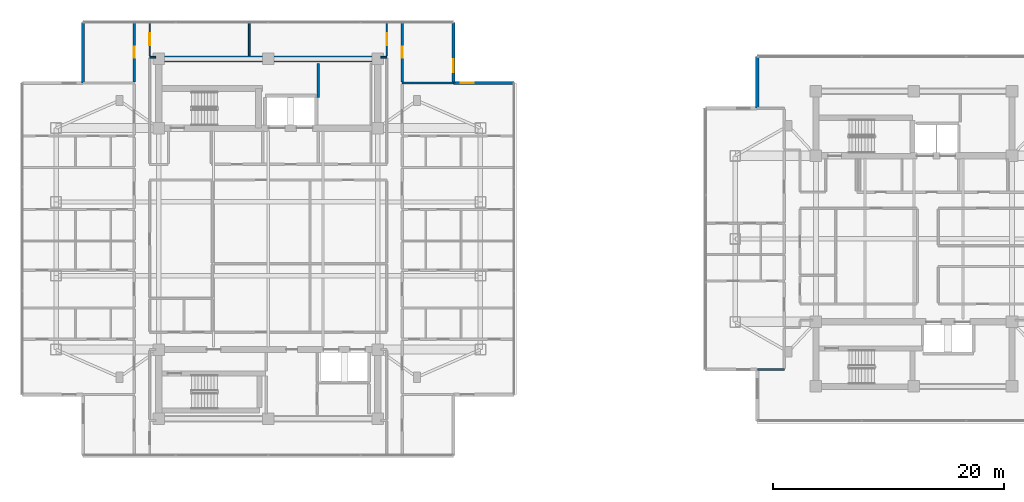
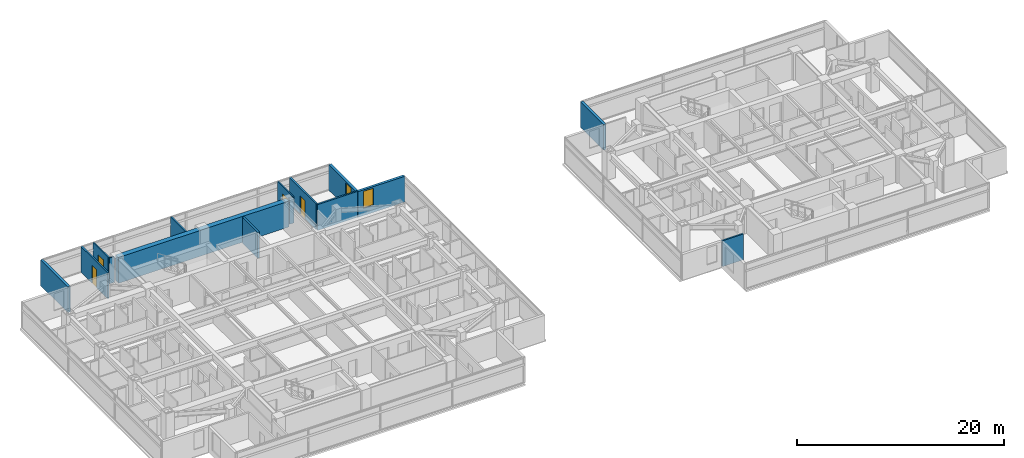
# One storey, part 16 of 25: 15 walls, 4 doors, 2 windows, 6 openings.
"""IFC4 building model written with IfcOpenShell, lengths in metres."""

from ifc_helpers import new_model, si_unit, direction, frame, frame_2d, origin, place, context, subcontext, project, spatial, rectangle, extrude, material, layer, layer_set, type_object, element, fill, save


model = new_model("IFC4")

# Units and contexts
model_context = context("Model", 3, precision=1e-05, world=origin(), true_north=direction((0.0, 1.0)))
body_context = subcontext(model_context, "Body", "Model", "MODEL_VIEW")
ifc_project = project(units=[si_unit("LENGTHUNIT", "METRE"), si_unit("AREAUNIT", "SQUARE_METRE"), si_unit("VOLUMEUNIT", "CUBIC_METRE"), si_unit("PLANEANGLEUNIT", "RADIAN"), si_unit("MASSUNIT", "GRAM", prefix="KILO")], contexts=[model_context])

# Site, building, storey
site_placement = place(None, origin())
site = spatial("IfcSite", under=ifc_project, at=site_placement, CompositionType="ELEMENT")
building_placement = place(site_placement, origin())
building = spatial("IfcBuilding", under=site, at=building_placement, Name="Mirazonda Arch Towers", CompositionType="ELEMENT")
storey_placement = place(building_placement, frame((0.0, 0.0, 173.89990234375)))
storey = spatial("IfcBuildingStorey", under=building, at=storey_placement, Name="L49", CompositionType="ELEMENT", Elevation=173.89990234375)

# Wall
ifc_material_1 = material(Name="Concrete C50/60", Category="concrete")
ifc_layer_1 = layer(ifc_material_1, 0.550048828125, Name="WALL-CORE-550")
ifc_layer_set_1 = layer_set([ifc_layer_1], Name="Concrete C50/60")
wall_type_1 = type_object("IfcWallType", Name="WALL-CORE-550", PredefinedType="SHEAR", material=ifc_layer_set_1)
wall_1_placement = place(storey_placement, frame((11.0, 43.60009765625, 0.0), z_axis=(0.0, 0.0, 1.0), x_axis=(1.0, 0.0, 0.0)))
element("IfcWall", 1, at=wall_1_placement, inside=storey, type_object=wall_type_1, Name="L49 T1N-N Core Shear Wall", PredefinedType="SHEAR", context=body_context, shape_type="SweptSolid", body=[
    extrude(rectangle(XDim=19.0, YDim=0.550048828125, at=frame_2d((9.5, 0.0))), origin(), (0.0, 0.0, 1.0), 3.050048828125),
])

# Wall, opening, window
ifc_material_2 = material(Name="Precast Concrete C40/50", Category="concrete")
ifc_layer_2 = layer(ifc_material_2, 0.280029296875, Name="WALL-EXT-WALL-280")
ifc_layer_set_2 = layer_set([ifc_layer_2], Name="Precast Concrete C40/50")
wall_type_2 = type_object("IfcWallType", Name="WALL-EXT-WALL-280", PredefinedType="SOLIDWALL", material=ifc_layer_set_2)
wall_2_placement = place(storey_placement, frame((36.56494140625, 41.512939453125, 0.0), z_axis=(0.0, 0.0, 1.0), x_axis=(0.0, 1.0, 0.0)))
wall_2 = element("IfcWall", 2, at=wall_2_placement, inside=storey, type_object=wall_type_2, Name="L49 T1 Notched NE Corner Wall WL-L49-T1-CNE", PredefinedType="SOLIDWALL", context=body_context, shape_type="SweptSolid", body=[
    extrude(rectangle(XDim=5.2451171875, YDim=0.280029296875, at=frame_2d((2.62255859375, 0.0))), origin(), (0.0, 0.0, 1.0), 3.030029296875),
])
opening_1_placement = place(wall_2_placement, frame((0.949951171875, 0.0, 0.85009765625)))
opening_1 = element("IfcOpeningElement", 3, at=opening_1_placement, cuts=wall_2, Name="Opening WN-108", PredefinedType="OPENING", context=body_context, shape_type="SweptSolid", body=[
    extrude(rectangle(XDim=1.10009765625, YDim=2.0, at=frame_2d((0.550048828125, 1.0))), frame((0.0, 0.14990234375, 0.0), z_axis=(0.0, -1.0, 0.0), x_axis=(1.0, 0.0, 0.0)), (0.0, 0.0, 1.0), 0.300048828125),
])
ifc_material_3 = material(Name="Insulated Low-E Solar Glass", Category="glass")
window_type = type_object("IfcWindowType", Name="WIN-NOTCH-1100x2000", PartitioningType="SINGLE_PANEL", PredefinedType="WINDOW", material=ifc_material_3)
window_1_placement = place(opening_1_placement, origin())
window_1 = element("IfcWindow", 4, at=window_1_placement, inside=storey, type_object=window_type, Name="L49 Punched Facade Window WN-L49-T1-CNE", OverallHeight=2.0, OverallWidth=1.10009765625, PartitioningType="SINGLE_PANEL", PredefinedType="WINDOW", context=body_context, shape_type="SweptSolid", body=[
    extrude(rectangle(XDim=1.10009765625, YDim=2.0, at=frame_2d((0.550048828125, 1.0))), frame((0.0, 0.030029296875, 0.0), z_axis=(0.0, -1.0, 0.0), x_axis=(1.0, 0.0, 0.0)), (0.0, 0.0, 1.0), 0.06005859375),
])
fill(opening_1, window_1)

# Wall
wall_3_placement = place(storey_placement, frame((4.43505859375, 46.758056640625, 0.0), z_axis=(0.0, 0.0, 1.0), x_axis=(0.0, -1.0, 0.0)))
element("IfcWall", 5, at=wall_3_placement, inside=storey, type_object=wall_type_2, Name="L49 T1 Corner Notch Return Wall WL-L49-T1-CNW2", PredefinedType="SOLIDWALL", context=body_context, shape_type="SweptSolid", body=[
    extrude(rectangle(XDim=5.2451171875, YDim=0.280029296875, at=frame_2d((2.62255859375, 0.0))), origin(), (0.0, 0.0, 1.0), 3.030029296875),
])

# Wall, opening, window
wall_4_placement = place(storey_placement, frame((41.81005859375, 41.512939453125, 0.0), z_axis=(0.0, 0.0, 1.0), x_axis=(-1.0, 0.0, 0.0)))
wall_4 = element("IfcWall", 6, at=wall_4_placement, inside=storey, type_object=wall_type_2, Name="L49 T1 Corner Notch Return Wall WL-L49-T1-CNE2", PredefinedType="SOLIDWALL", context=body_context, shape_type="SweptSolid", body=[
    extrude(rectangle(XDim=5.2451171875, YDim=0.280029296875, at=frame_2d((2.62255859375, 0.0))), origin(), (0.0, 0.0, 1.0), 3.030029296875),
])
opening_2_placement = place(wall_4_placement, frame((3.4951171875, 0.0, 0.85009765625)))
opening_2 = element("IfcOpeningElement", 7, at=opening_2_placement, cuts=wall_4, Name="Opening WN-108", PredefinedType="OPENING", context=body_context, shape_type="SweptSolid", body=[
    extrude(rectangle(XDim=1.10009765625, YDim=2.0, at=frame_2d((0.550048828125, 1.0))), frame((0.0, 0.14990234375, 0.0), z_axis=(0.0, -1.0, 0.0), x_axis=(1.0, 0.0, 0.0)), (0.0, 0.0, 1.0), 0.300048828125),
])
window_2_placement = place(opening_2_placement, origin())
window_2 = element("IfcWindow", 8, at=window_2_placement, inside=storey, type_object=window_type, Name="L49 Punched Facade Window WN-L49-T1-CNE2", OverallHeight=2.0, OverallWidth=1.10009765625, PartitioningType="SINGLE_PANEL", PredefinedType="WINDOW", context=body_context, shape_type="SweptSolid", body=[
    extrude(rectangle(XDim=1.10009765625, YDim=2.0, at=frame_2d((0.550048828125, 1.0))), frame((0.0, 0.030029296875, 0.0), z_axis=(0.0, -1.0, 0.0), x_axis=(1.0, 0.0, 0.0)), (0.0, 0.0, 1.0), 0.06005859375),
])
fill(opening_2, window_2)

# Walls
wall_5_placement = place(storey_placement, frame((62.90478515625, 43.791259765625, 0.0), z_axis=(0.0, 0.0, 1.0), x_axis=(0.0, -1.0, 0.0)))
element("IfcWall", 9, at=wall_5_placement, inside=storey, type_object=wall_type_2, Name="L49 T2 Corner Notch Return Wall WL-L49-T2-CNW2", PredefinedType="SOLIDWALL", context=body_context, shape_type="SweptSolid", body=[
    extrude(rectangle(XDim=4.465087890625, YDim=0.280029296875, at=frame_2d((2.232421875, 0.0))), origin(), (0.0, 0.0, 1.0), 3.030029296875),
])
ifc_material_4 = material(Name="Concrete C40/50", Category="concrete")
ifc_layer_3 = layer(ifc_material_4, 0.219970703125, Name="WALL-FFL-220")
ifc_layer_set_3 = layer_set([ifc_layer_3], Name="Concrete C40/50")
wall_type_3 = type_object("IfcWallType", Name="WALL-FFL-220", PredefinedType="SOLIDWALL", material=ifc_layer_set_3)
wall_6_placement = place(storey_placement, frame((24.85009765625, 40.260009765625, 0.0), z_axis=(0.0, 0.0, 1.0), x_axis=(0.0, 1.0, 0.0)))
element("IfcWall", 10, at=wall_6_placement, inside=storey, type_object=wall_type_3, Name="L49 Interior Partition 106", PredefinedType="SOLIDWALL", context=body_context, shape_type="SweptSolid", body=[
    extrude(rectangle(XDim=2.93994140625, YDim=0.219970703125, at=frame_2d((1.469970703125, 0.0))), origin(), (0.0, 0.0, 1.0), 3.050048828125),
])
ifc_material_5 = material(Name="Fire-Rated Gypsum Stud Partition")
ifc_layer_4 = layer(ifc_material_5, 0.14990234375, Name="WALL-PART-CORR-150")
ifc_layer_set_4 = layer_set([ifc_layer_4], Name="Fire-Rated Gypsum Stud Partition")
wall_type_4 = type_object("IfcWallType", Name="WALL-PART-CORR-150", PredefinedType="PARTITIONING", material=ifc_layer_set_4)
for number, where, z_axis, x_axis, name in (
    (11, (10.219970703125, 43.75, 0.0), (0.0, 0.0, 1.0), (1.0, 0.0, 0.0), "L49 Interior Partition 062"),
    (12, (30.27001953125, 43.75, 0.0), (0.0, 0.0, 1.0), (1.0, 0.0, 0.0), "L49 Interior Partition 063"),
):
    element("IfcWall", number, at=place(storey_placement, frame(where, z_axis=z_axis, x_axis=x_axis)), inside=storey, type_object=wall_type_4, Name=name, PredefinedType="PARTITIONING", context=body_context, shape_type="SweptSolid", body=[
        extrude(rectangle(XDim=0.510009765625, YDim=0.14990234375, at=frame_2d((0.2548828125, 0.0))), origin(), (0.0, 0.0, 1.0), 3.050048828125),
    ])

# Wall, opening, door
wall_7_placement = place(storey_placement, frame((10.219970703125, 43.8349609375, 0.0), z_axis=(0.0, 0.0, 1.0), x_axis=(0.0, 1.0, 0.0)))
wall_7 = element("IfcWall", 13, at=wall_7_placement, inside=storey, type_object=wall_type_4, Name="L49 Interior Partition 087", PredefinedType="PARTITIONING", context=body_context, shape_type="SweptSolid", body=[
    extrude(rectangle(XDim=2.923095703125, YDim=0.14990234375, at=frame_2d((1.46142578125, 0.0))), origin(), (0.0, 0.0, 1.0), 3.050048828125),
])
opening_3_placement = place(wall_7_placement, frame((0.9365234375, 0.0, 0.0)))
opening_3 = element("IfcOpeningElement", 14, at=opening_3_placement, cuts=wall_7, Name="Opening DR-121", PredefinedType="OPENING", context=body_context, shape_type="SweptSolid", body=[
    extrude(rectangle(XDim=1.050048828125, YDim=2.199951171875, at=frame_2d((0.52490234375, 1.10009765625))), frame((0.0, 0.0849609375, 0.0), z_axis=(0.0, -1.0, 0.0), x_axis=(1.0, 0.0, 0.0)), (0.0, 0.0, 1.0), 0.169921875),
])
ifc_material_6 = material(Name="Architectural Brushed Steel S355", Category="steel")
door_type_1 = type_object("IfcDoorType", Name="DOOR-SUITE-FD60-1050", OperationType="NOTDEFINED", PredefinedType="DOOR", material=ifc_material_6)
door_1_placement = place(opening_3_placement, origin())
door_1 = element("IfcDoor", 15, at=door_1_placement, inside=storey, type_object=door_type_1, Name="L49 North Bay Sunroom West Door", OperationType="SINGLE_SWING_RIGHT", OverallHeight=2.199951171875, OverallWidth=1.050048828125, PredefinedType="DOOR", context=body_context, shape_type="SweptSolid", body=[
    extrude(rectangle(XDim=1.050048828125, YDim=2.199951171875, at=frame_2d((0.52490234375, 1.10009765625))), frame((0.0, 0.02490234375, 0.0), z_axis=(0.0, -1.0, 0.0), x_axis=(1.0, 0.0, 0.0)), (0.0, 0.0, 1.0), 0.050048828125),
])
fill(opening_3, door_1)

# Wall
wall_8_placement = place(storey_placement, frame((18.85498046875, 43.8701171875, 0.0), z_axis=(0.0, 0.0, 1.0), x_axis=(0.0, 1.0, 0.0)))
element("IfcWall", 16, at=wall_8_placement, inside=storey, type_object=wall_type_4, Name="L49 Interior Partition 094", PredefinedType="PARTITIONING", context=body_context, shape_type="SweptSolid", body=[
    extrude(rectangle(XDim=2.887939453125, YDim=0.14990234375, at=frame_2d((1.44384765625, 0.0))), origin(), (0.0, 0.0, 1.0), 3.050048828125),
])

# Wall, opening, door
wall_9_placement = place(storey_placement, frame((30.780029296875, 43.8349609375, 0.0), z_axis=(0.0, 0.0, 1.0), x_axis=(0.0, 1.0, 0.0)))
wall_9 = element("IfcWall", 17, at=wall_9_placement, inside=storey, type_object=wall_type_4, Name="L49 Interior Partition 116", PredefinedType="PARTITIONING", context=body_context, shape_type="SweptSolid", body=[
    extrude(rectangle(XDim=2.923095703125, YDim=0.14990234375, at=frame_2d((1.46142578125, 0.0))), origin(), (0.0, 0.0, 1.0), 3.050048828125),
])
opening_4_placement = place(wall_9_placement, frame((0.9365234375, 0.0, 0.0)))
opening_4 = element("IfcOpeningElement", 18, at=opening_4_placement, cuts=wall_9, Name="Opening DR-121", PredefinedType="OPENING", context=body_context, shape_type="SweptSolid", body=[
    extrude(rectangle(XDim=1.050048828125, YDim=2.199951171875, at=frame_2d((0.52490234375, 1.10009765625))), frame((0.0, 0.0849609375, 0.0), z_axis=(0.0, -1.0, 0.0), x_axis=(1.0, 0.0, 0.0)), (0.0, 0.0, 1.0), 0.169921875),
])
door_2_placement = place(opening_4_placement, origin())
door_2 = element("IfcDoor", 19, at=door_2_placement, inside=storey, type_object=door_type_1, Name="L49 North Bay Sunroom East Door", OperationType="SINGLE_SWING_LEFT", OverallHeight=2.199951171875, OverallWidth=1.050048828125, PredefinedType="DOOR", context=body_context, shape_type="SweptSolid", body=[
    extrude(rectangle(XDim=1.050048828125, YDim=2.199951171875, at=frame_2d((0.52490234375, 1.10009765625))), frame((0.0, 0.02490234375, 0.0), z_axis=(0.0, -1.0, 0.0), x_axis=(1.0, 0.0, 0.0)), (0.0, 0.0, 1.0), 0.050048828125),
])
fill(opening_4, door_2)

# Walls
ifc_material_7 = material(Name="Fire-Rated Gypsum Twin-Stud Assembly")
ifc_layer_5 = layer(ifc_material_7, 0.179931640625, Name="WALL-PART-DEMISE-180")
ifc_layer_set_5 = layer_set([ifc_layer_5], Name="Fire-Rated Gypsum Twin-Stud Assembly")
wall_type_5 = type_object("IfcWallType", Name="WALL-PART-DEMISE-180", PredefinedType="PARTITIONING", material=ifc_layer_set_5)
wall_10_placement = place(storey_placement, frame((62.9248046875, 16.674072265625, 0.0), z_axis=(0.0, 0.0, 1.0), x_axis=(1.0, 0.0, 0.0)))
element("IfcWall", 20, at=wall_10_placement, inside=storey, type_object=wall_type_5, Name="L49 Interior Partition 008", PredefinedType="PARTITIONING", context=body_context, shape_type="SweptSolid", body=[
    extrude(rectangle(XDim=2.3251953125, YDim=0.179931640625, at=frame_2d((1.16259765625, 0.0))), origin(), (0.0, 0.0, 1.0), 3.050048828125),
])
wall_11_placement = place(storey_placement, frame((32.1201171875, 41.512939453125, 0.0), z_axis=(0.0, 0.0, 1.0), x_axis=(1.0, 0.0, 0.0)))
element("IfcWall", 21, at=wall_11_placement, inside=storey, type_object=wall_type_5, Name="L49 Interior Partition 061", PredefinedType="PARTITIONING", context=body_context, shape_type="SweptSolid", body=[
    extrude(rectangle(XDim=4.4248046875, YDim=0.179931640625, at=frame_2d((2.21240234375, 0.0))), origin(), (0.0, 0.0, 1.0), 3.050048828125),
])

# Wall, opening, door
wall_12_placement = place(storey_placement, frame((8.8798828125, 41.613037109375, 0.0), z_axis=(0.0, 0.0, 1.0), x_axis=(0.0, 1.0, 0.0)))
wall_12 = element("IfcWall", 22, at=wall_12_placement, inside=storey, type_object=wall_type_5, Name="L49 Interior Partition 081", PredefinedType="PARTITIONING", context=body_context, shape_type="SweptSolid", body=[
    extrude(rectangle(XDim=5.14501953125, YDim=0.179931640625, at=frame_2d((2.572509765625, 0.0))), origin(), (0.0, 0.0, 1.0), 3.050048828125),
])
opening_5_placement = place(wall_12_placement, frame((2.097412109375, 0.0, 0.0)))
opening_5 = element("IfcOpeningElement", 23, at=opening_5_placement, cuts=wall_12, Name="Opening DR-104", PredefinedType="OPENING", context=body_context, shape_type="SweptSolid", body=[
    extrude(rectangle(XDim=0.949951171875, YDim=2.14990234375, at=frame_2d((0.47509765625, 1.074951171875))), frame((0.0, 0.099853515625, 0.0), z_axis=(0.0, -1.0, 0.0), x_axis=(1.0, 0.0, 0.0)), (0.0, 0.0, 1.0), 0.199951171875),
])
door_type_2 = type_object("IfcDoorType", Name="DOOR-ROOM-950", OperationType="NOTDEFINED", PredefinedType="DOOR", material=ifc_material_6)
door_3_placement = place(opening_5_placement, origin())
door_3 = element("IfcDoor", 24, at=door_3_placement, inside=storey, type_object=door_type_2, Name="L49 North Bay Sunroom Alcove West Door", OperationType="SINGLE_SWING_RIGHT", OverallHeight=2.14990234375, OverallWidth=0.949951171875, PredefinedType="DOOR", context=body_context, shape_type="SweptSolid", body=[
    extrude(rectangle(XDim=0.949951171875, YDim=2.14990234375, at=frame_2d((0.47509765625, 1.074951171875))), frame((0.0, 0.02490234375, 0.0), z_axis=(0.0, -1.0, 0.0), x_axis=(1.0, 0.0, 0.0)), (0.0, 0.0, 1.0), 0.050048828125),
])
fill(opening_5, door_3)

wall_13_placement = place(storey_placement, frame((32.1201171875, 41.613037109375, 0.0), z_axis=(0.0, 0.0, 1.0), x_axis=(0.0, 1.0, 0.0)))
wall_13 = element("IfcWall", 25, at=wall_13_placement, inside=storey, type_object=wall_type_5, Name="L49 Interior Partition 126", PredefinedType="PARTITIONING", context=body_context, shape_type="SweptSolid", body=[
    extrude(rectangle(XDim=5.14501953125, YDim=0.179931640625, at=frame_2d((2.572509765625, 0.0))), origin(), (0.0, 0.0, 1.0), 3.050048828125),
])
opening_6_placement = place(wall_13_placement, frame((2.097412109375, 0.0, 0.0)))
opening_6 = element("IfcOpeningElement", 26, at=opening_6_placement, cuts=wall_13, Name="Opening DR-104", PredefinedType="OPENING", context=body_context, shape_type="SweptSolid", body=[
    extrude(rectangle(XDim=0.949951171875, YDim=2.14990234375, at=frame_2d((0.47509765625, 1.074951171875))), frame((0.0, 0.099853515625, 0.0), z_axis=(0.0, -1.0, 0.0), x_axis=(1.0, 0.0, 0.0)), (0.0, 0.0, 1.0), 0.199951171875),
])
door_4_placement = place(opening_6_placement, origin())
door_4 = element("IfcDoor", 27, at=door_4_placement, inside=storey, type_object=door_type_2, Name="L49 North Bay Sunroom Alcove East Door", OperationType="SINGLE_SWING_LEFT", OverallHeight=2.14990234375, OverallWidth=0.949951171875, PredefinedType="DOOR", context=body_context, shape_type="SweptSolid", body=[
    extrude(rectangle(XDim=0.949951171875, YDim=2.14990234375, at=frame_2d((0.47509765625, 1.074951171875))), frame((0.0, 0.02490234375, 0.0), z_axis=(0.0, -1.0, 0.0), x_axis=(1.0, 0.0, 0.0)), (0.0, 0.0, 1.0), 0.050048828125),
])
fill(opening_6, door_4)

save(model, "model.ifc")
